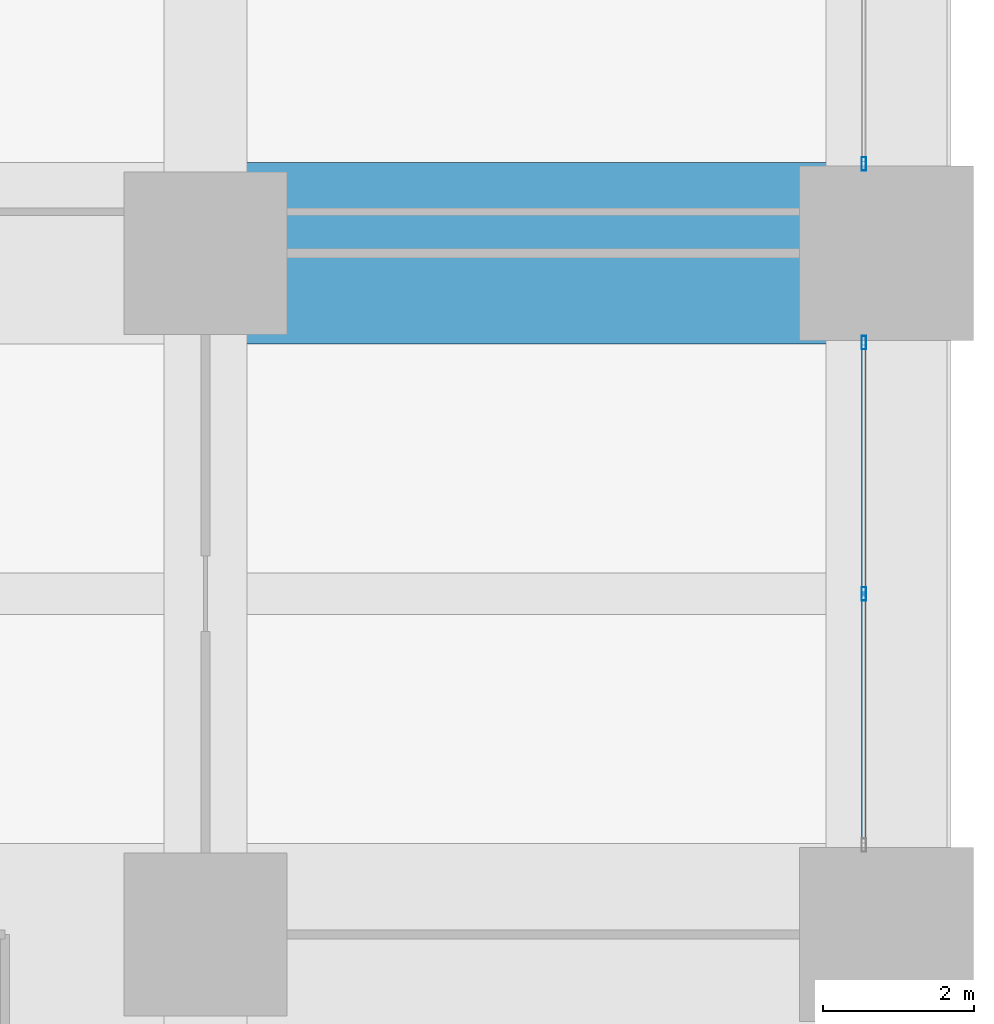
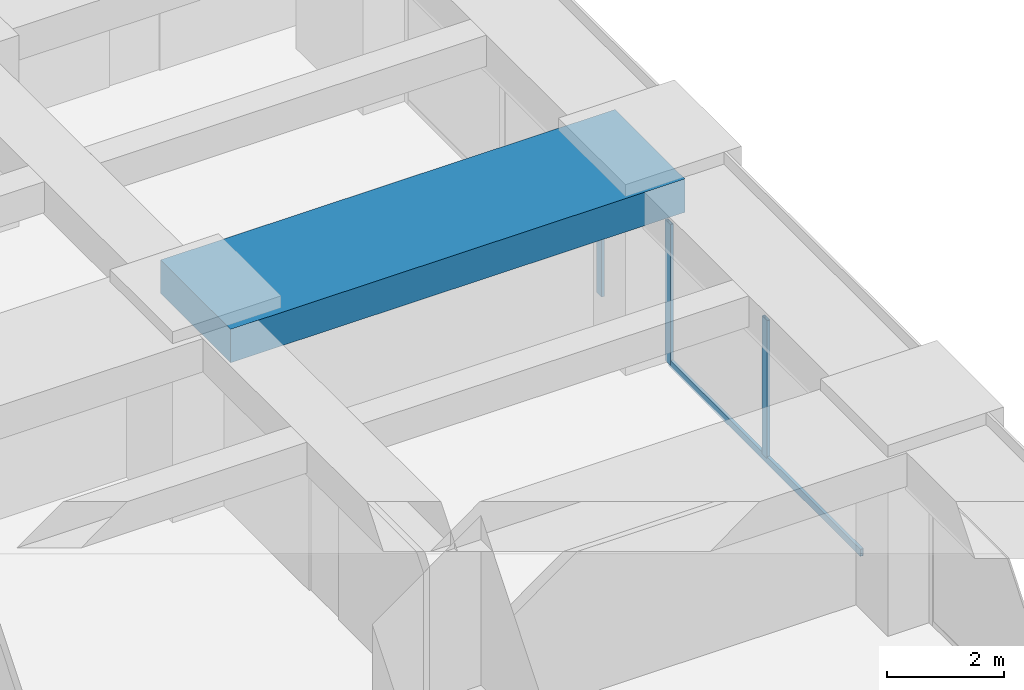
# One storey, part 31 of 43: 4 members, 1 beam, 2 elements without a shape of their own.
"""IFC4 building model written with IfcOpenShell, lengths in metres."""

from ifc_helpers import new_model, si_unit, direction, frame, origin, origin_2d, place, context, subcontext, project, spatial, rectangle, hollow_rectangle, extrude, material, material_profile, profile_set, type_object, element, aggregate, save


model = new_model("IFC4")

# Units and contexts
model_context = context("Model", 3, precision=1e-05, world=origin(), true_north=direction((0.0, 1.0)))
body_context = subcontext(model_context, "Body", "Model", "MODEL_VIEW")
ifc_project = project(units=[si_unit("LENGTHUNIT", "METRE"), si_unit("AREAUNIT", "SQUARE_METRE"), si_unit("VOLUMEUNIT", "CUBIC_METRE"), si_unit("PLANEANGLEUNIT", "RADIAN"), si_unit("MASSUNIT", "GRAM", prefix="KILO")], contexts=[model_context])

# Site, building, storey
site_placement = place(None, origin())
site = spatial("IfcSite", under=ifc_project, at=site_placement, CompositionType="ELEMENT")
building_placement = place(site_placement, origin())
building = spatial("IfcBuilding", under=site, at=building_placement, Name="Zorevar Civic Tower", CompositionType="ELEMENT")
storey_placement = place(building_placement, frame((0.0, 0.0, 67.800048828125)))
storey = spatial("IfcBuildingStorey", under=building, at=storey_placement, Name="L16", CompositionType="ELEMENT", Elevation=67.800048828125)

# Beam
ifc_material_1 = material(Name="Concrete C50/60", Category="concrete")
ifc_material_profile_1 = material_profile(ifc_material_1, rectangle(XDim=2.39990234375, YDim=0.699951171875, at=origin_2d()), Name="RC 2400x700")
ifc_profile_set_1 = profile_set([ifc_material_profile_1], Name="Concrete C50/60")
beam_type = type_object("IfcBeamType", Name="Beam RC 2400x700", PredefinedType="BEAM", material=ifc_profile_set_1)
beam_placement = place(storey_placement, frame((54.0, 36.0, 3.39990234375), z_axis=(1.0, 0.0, 0.0), x_axis=(0.0, 1.0, 0.0)))
element("IfcBeam", 1, at=beam_placement, inside=storey, type_object=beam_type, Name="Girder L17", PredefinedType="BEAM", context=body_context, shape_type="SweptSolid", body=[
    extrude(rectangle(XDim=2.39990234375, YDim=0.699951171875, at=origin_2d()), origin(), (0.0, 0.0, 1.0), 9.0),
])

# Curtain wall, members
ifc_material_2 = material(Name="Dark grey solar-control glass in black aluminium frame", Category="aluminium")
curtain_wall_type = type_object("IfcCurtainWallType", Name="Curtain wall CW2 low zone", PredefinedType="NOTDEFINED", material=ifc_material_2)
curtain_wall_1_placement = place(storey_placement, origin())
curtain_wall_1 = element("IfcCurtainWall", 2, at=curtain_wall_1_placement, inside=storey, type_object=curtain_wall_type, Name="CW2 L16", PredefinedType="NOTDEFINED")
ifc_material_3 = material(Name="Aluminium, black anodised", Category="aluminium")
ifc_material_profile_2 = material_profile(ifc_material_3, hollow_rectangle(XDim=0.06005859375, YDim=0.179931640625, WallThickness=0.00390625, at=origin_2d()), Name="AL 180x60x4")
ifc_profile_set_2 = profile_set([ifc_material_profile_2], Name="Aluminium, black anodised")
member_type_1 = type_object("IfcMemberType", Name="CW2 mullion AL 180x60x4", PredefinedType="MULLION", material=ifc_profile_set_2)
member_1_placement = place(storey_placement, frame((62.699951171875, 31.5, 0.06005859375), z_axis=(0.0, 0.0, 1.0), x_axis=(-1.0, 0.0, 0.0)))
member_1 = element("IfcMember", 3, at=member_1_placement, type_object=member_type_1, Name="CW2 mullion 2", PredefinedType="MULLION", context=body_context, shape_type="SweptSolid", body=[
    extrude(hollow_rectangle(XDim=0.06005859375, YDim=0.179931640625, WallThickness=0.00390625, at=origin_2d()), origin(), (0.0, 0.0, 1.0), 2.889892578125),
])
member_2_placement = place(storey_placement, frame((62.699951171875, 34.820068359375, 0.0), z_axis=(0.0, 0.0, 1.0), x_axis=(-1.0, 0.0, 0.0)))
member_2 = element("IfcMember", 4, at=member_2_placement, type_object=member_type_1, Name="CW2 mullion 3", PredefinedType="MULLION", context=body_context, shape_type="SweptSolid", body=[
    extrude(hollow_rectangle(XDim=0.06005859375, YDim=0.179931640625, WallThickness=0.00390625, at=origin_2d()), origin(), (0.0, 0.0, 1.0), 2.949951171875),
])

# Curtain wall, member
curtain_wall_2_placement = place(storey_placement, origin())
curtain_wall_2 = element("IfcCurtainWall", 5, at=curtain_wall_2_placement, inside=storey, type_object=curtain_wall_type, Name="CW2 L16", PredefinedType="NOTDEFINED")
member_3_placement = place(storey_placement, frame((62.699951171875, 37.179931640625, 0.0), z_axis=(0.0, 0.0, 1.0), x_axis=(-1.0, 0.0, 0.0)))
member_3 = element("IfcMember", 6, at=member_3_placement, type_object=member_type_1, Name="CW2 mullion 1", PredefinedType="MULLION", context=body_context, shape_type="SweptSolid", body=[
    extrude(hollow_rectangle(XDim=0.06005859375, YDim=0.179931640625, WallThickness=0.00390625, at=origin_2d()), origin(), (0.0, 0.0, 1.0), 2.949951171875),
])
aggregate(curtain_wall_2, [member_3])

# Member
ifc_material_4 = material(Name="Aluminium, black anodised", Category="aluminium")
ifc_material_profile_3 = material_profile(ifc_material_4, hollow_rectangle(XDim=0.06005859375, YDim=0.14990234375, WallThickness=0.00390625, at=origin_2d()), Name="AL 150x60x4")
ifc_profile_set_3 = profile_set([ifc_material_profile_3], Name="Aluminium, black anodised")
member_type_2 = type_object("IfcMemberType", Name="CW2 transom AL 150x60x4", PredefinedType="USERDEFINED", material=ifc_profile_set_3)
member_4_placement = place(storey_placement, frame((62.699951171875, 28.2099609375, 0.030029296875), z_axis=(0.0, 1.0, 0.0), x_axis=(-1.0, 0.0, 0.0)))
member_4 = element("IfcMember", 7, at=member_4_placement, type_object=member_type_2, Name="CW2 sill transom", ObjectType="TRANSOM", PredefinedType="USERDEFINED", context=body_context, shape_type="SweptSolid", body=[
    extrude(hollow_rectangle(XDim=0.06005859375, YDim=0.14990234375, WallThickness=0.00390625, at=origin_2d()), origin(), (0.0, 0.0, 1.0), 6.580078125),
])

aggregate(curtain_wall_1, [member_1, member_2, member_4])

save(model, "model.ifc")
